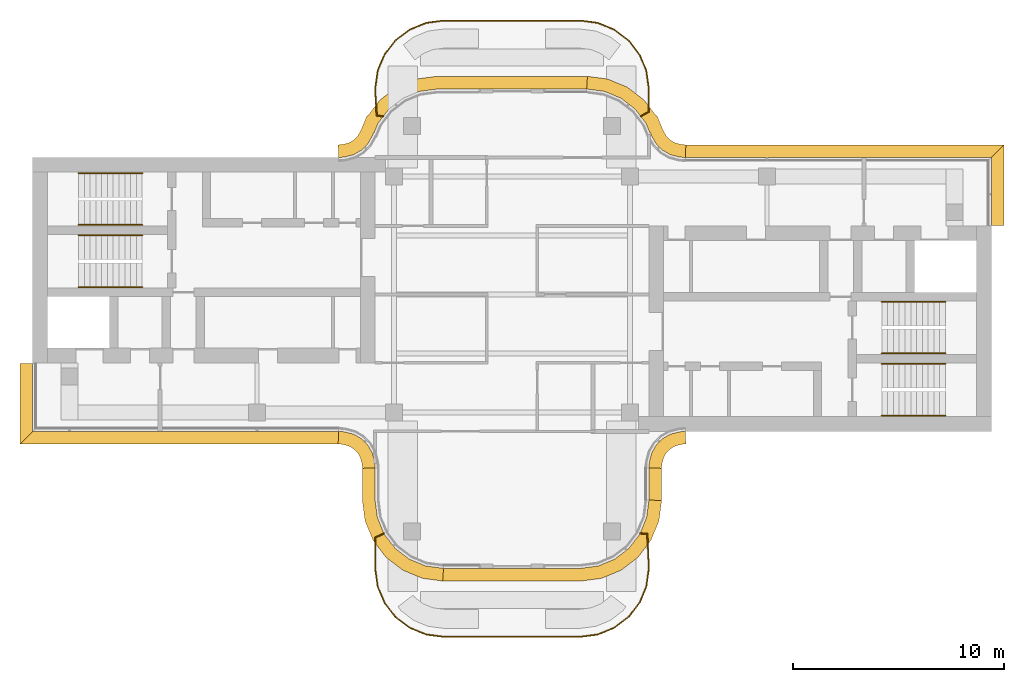
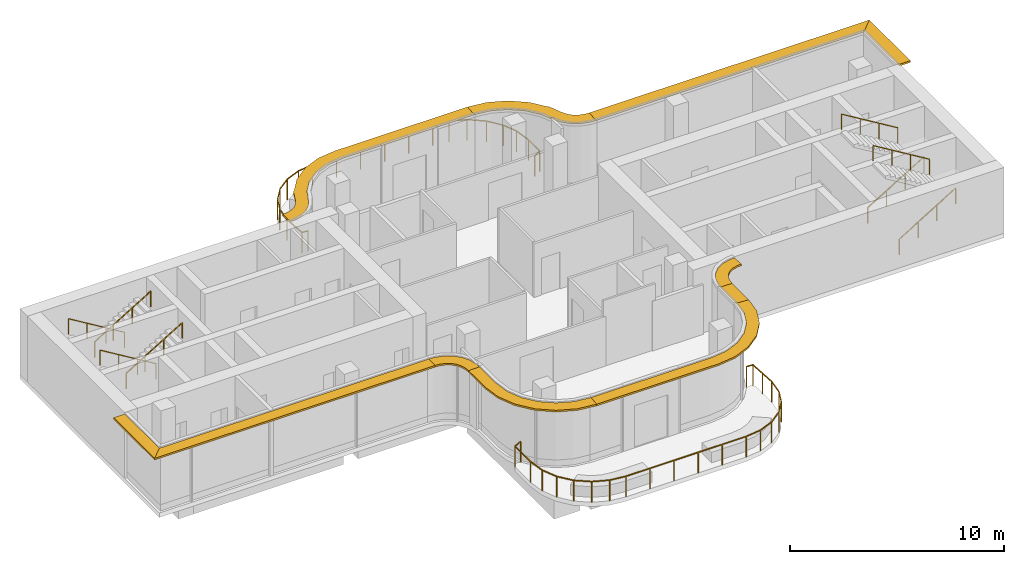
# One storey, part 9 of 9: 11 shading devices, 10 railings.
"""IFC4 building model written with IfcOpenShell, lengths in metres."""

from ifc_helpers import new_model, si_unit, direction, frame, origin, origin_2d, place, context, subcontext, project, spatial, polyline, rectangle, circle, outline, extrude, source, transform, mapped, material, layer, layer_set, type_object, element, save


model = new_model("IFC4")

# Units and contexts
model_context = context("Model", 3, precision=1e-05, world=origin(), true_north=direction((0.0, 1.0)))
body_context = subcontext(model_context, "Body", "Model", "MODEL_VIEW")
ifc_project = project(units=[si_unit("LENGTHUNIT", "METRE"), si_unit("AREAUNIT", "SQUARE_METRE"), si_unit("VOLUMEUNIT", "CUBIC_METRE"), si_unit("PLANEANGLEUNIT", "RADIAN"), si_unit("MASSUNIT", "GRAM", prefix="KILO")], contexts=[model_context])

# Site, building, storey
site_placement = place(None, origin())
site = spatial("IfcSite", under=ifc_project, at=site_placement, CompositionType="ELEMENT")
building_placement = place(site_placement, origin())
building = spatial("IfcBuilding", under=site, at=building_placement, Name="Trellis Farm Tower", CompositionType="ELEMENT")
storey_placement = place(building_placement, frame((0.0, 0.0, 354.10009765625)))
storey = spatial("IfcBuildingStorey", under=building, at=storey_placement, Name="L80", CompositionType="ELEMENT", Elevation=354.10009765625)

# Railings
ifc_material_1 = material(Name="Stainless steel 316", Category="steel")
railing_type_1 = type_object("IfcRailingType", Name="BALUSTRADE GUARD 1200", PredefinedType="GUARDRAIL", material=ifc_material_1)
railing_1_placement = place(storey_placement, frame((-6.10693359375, 8.45068359375, 0.0)))
element("IfcRailing", 1, at=railing_1_placement, inside=storey, type_object=railing_type_1, Name="GD2 TER-1", PredefinedType="GUARDRAIL", context=body_context, shape_type="SweptSolid", body=[
    extrude(rectangle(XDim=0.050048828125, YDim=0.050048828125, at=origin_2d()), frame((0.0, 0.0, 1.1748046875), z_axis=(-0.991964294136, 0.126518137671, 0.0), x_axis=(-0.126518137671, -0.991964294136, 0.0)), (0.0, 0.0, 1.0), 0.314453125),
    extrude(rectangle(XDim=0.050048828125, YDim=0.050048828125, at=origin_2d()), frame((-0.31201171875, 0.039794921875, 1.1748046875), z_axis=(-0.065062168606, 0.997881212478, 0.0), x_axis=(-0.997881212478, -0.065062168606, 0.0)), (0.0, 0.0, 1.0), 1.245849609375),
    extrude(rectangle(XDim=0.050048828125, YDim=0.050048828125, at=origin_2d()), frame((-0.39306640625, 1.282958984375, 1.1748046875), z_axis=(0.137531262137, 0.990497426516, 0.0), x_axis=(-0.990497426516, 0.137531262137, 0.0)), (0.0, 0.0, 1.0), 0.896484375),
    extrude(rectangle(XDim=0.050048828125, YDim=0.050048828125, at=origin_2d()), frame((-0.269775390625, 2.1708984375, 1.1748046875), z_axis=(0.392110431343, 0.919918153768, 0.0), x_axis=(-0.919918153768, 0.392110431343, 0.0)), (0.0, 0.0, 1.0), 0.847412109375),
    extrude(rectangle(XDim=0.050048828125, YDim=0.050048828125, at=origin_2d()), frame((0.0625, 2.950439453125, 1.1748046875), z_axis=(0.616650070044, 0.78723737914, 0.0), x_axis=(-0.78723737914, 0.616650070044, 0.0)), (0.0, 0.0, 1.0), 0.84716796875),
    extrude(rectangle(XDim=0.050048828125, YDim=0.050048828125, at=origin_2d()), frame((0.5849609375, 3.617431640625, 1.1748046875), z_axis=(0.799481118844, 0.600691219023, 0.0), x_axis=(-0.600691219023, 0.799481118844, 0.0)), (0.0, 0.0, 1.0), 0.847412109375),
    extrude(rectangle(XDim=0.050048828125, YDim=0.050048828125, at=origin_2d()), frame((1.262451171875, 4.12646484375, 1.1748046875), z_axis=(0.927639628134, 0.373476532483, 0.0), x_axis=(-0.373476532483, 0.927639628134, 0.0)), (0.0, 0.0, 1.0), 0.84716796875),
    extrude(rectangle(XDim=0.050048828125, YDim=0.050048828125, at=origin_2d()), frame((2.04833984375, 4.44287109375, 1.1748046875), z_axis=(0.991777866634, 0.12797133763, 0.0), x_axis=(-0.12797133763, 0.991777866634, 0.0)), (0.0, 0.0, 1.0), 0.831787109375),
    extrude(rectangle(XDim=0.050048828125, YDim=0.050048828125, at=origin_2d()), frame((2.873291015625, 4.54931640625, 1.1748046875), z_axis=(1.0, 0.0, 0.0), x_axis=(0.0, 1.0, 0.0)), (0.0, 0.0, 1.0), 6.46728515625),
    extrude(rectangle(XDim=0.050048828125, YDim=0.050048828125, at=origin_2d()), frame((9.340576171875, 4.54931640625, 1.1748046875), z_axis=(0.991777866634, -0.12797133763, 0.0), x_axis=(0.12797133763, 0.991777866634, 0.0)), (0.0, 0.0, 1.0), 0.831787109375),
    extrude(rectangle(XDim=0.050048828125, YDim=0.050048828125, at=origin_2d()), frame((10.16552734375, 4.44287109375, 1.1748046875), z_axis=(0.927639628134, -0.373476532483, 0.0), x_axis=(0.373476532483, 0.927639628134, 0.0)), (0.0, 0.0, 1.0), 0.84716796875),
    extrude(rectangle(XDim=0.050048828125, YDim=0.050048828125, at=origin_2d()), frame((10.951416015625, 4.12646484375, 1.1748046875), z_axis=(0.793399515431, -0.608701247669, 0.0), x_axis=(0.608701247669, 0.793399515431, 0.0)), (0.0, 0.0, 1.0), 0.912109375),
    extrude(rectangle(XDim=0.050048828125, YDim=0.050048828125, at=origin_2d()), frame((11.675048828125, 3.5712890625, 1.1748046875), z_axis=(0.600691219023, -0.799481118844, 0.0), x_axis=(0.799481118844, 0.600691219023, 0.0)), (0.0, 0.0, 1.0), 0.847412109375),
    extrude(rectangle(XDim=0.050048828125, YDim=0.050048828125, at=origin_2d()), frame((12.18408203125, 2.893798828125, 1.1748046875), z_axis=(0.38282021408, -0.923822863807, 0.0), x_axis=(0.923822863807, 0.38282021408, 0.0)), (0.0, 0.0, 1.0), 0.782470703125),
    extrude(rectangle(XDim=0.050048828125, YDim=0.050048828125, at=origin_2d()), frame((12.483642578125, 2.1708984375, 1.1748046875), z_axis=(0.137531262137, -0.990497426516, 0.0), x_axis=(0.990497426516, 0.137531262137, 0.0)), (0.0, 0.0, 1.0), 0.896484375),
    extrude(rectangle(XDim=0.050048828125, YDim=0.050048828125, at=origin_2d()), frame((12.60693359375, 1.282958984375, 1.1748046875), z_axis=(0.0, -1.0, 0.0), x_axis=(1.0, 0.0, 0.0)), (0.0, 0.0, 1.0), 1.058837890625),
    extrude(rectangle(XDim=0.050048828125, YDim=0.050048828125, at=origin_2d()), frame((12.60693359375, 0.22412109375, 1.1748046875), z_axis=(-0.868707621281, -0.495325215115, 0.0), x_axis=(0.495325215115, -0.868707621281, 0.0)), (0.0, 0.0, 1.0), 0.452392578125),
    extrude(rectangle(XDim=0.0400390625, YDim=0.0400390625, at=origin_2d()), origin(), (0.0, 0.0, 1.0), 1.14990234375),
    extrude(rectangle(XDim=0.0400390625, YDim=0.0400390625, at=origin_2d()), frame((-0.31201171875, 0.039794921875, 0.0)), (0.0, 0.0, 1.0), 1.14990234375),
    extrude(rectangle(XDim=0.0400390625, YDim=0.0400390625, at=origin_2d()), frame((-0.39306640625, 1.282958984375, 0.0)), (0.0, 0.0, 1.0), 1.14990234375),
    extrude(rectangle(XDim=0.0400390625, YDim=0.0400390625, at=origin_2d()), frame((-0.269775390625, 2.1708984375, 0.0)), (0.0, 0.0, 1.0), 1.14990234375),
    extrude(rectangle(XDim=0.0400390625, YDim=0.0400390625, at=origin_2d()), frame((0.0625, 2.950439453125, 0.0)), (0.0, 0.0, 1.0), 1.14990234375),
    extrude(rectangle(XDim=0.0400390625, YDim=0.0400390625, at=origin_2d()), frame((0.5849609375, 3.617431640625, 0.0)), (0.0, 0.0, 1.0), 1.14990234375),
    extrude(rectangle(XDim=0.0400390625, YDim=0.0400390625, at=origin_2d()), frame((1.262451171875, 4.12646484375, 0.0)), (0.0, 0.0, 1.0), 1.14990234375),
    extrude(rectangle(XDim=0.0400390625, YDim=0.0400390625, at=origin_2d()), frame((2.04833984375, 4.44287109375, 0.0)), (0.0, 0.0, 1.0), 1.14990234375),
    extrude(rectangle(XDim=0.0400390625, YDim=0.0400390625, at=origin_2d()), frame((2.873291015625, 4.54931640625, 0.0)), (0.0, 0.0, 1.0), 1.14990234375),
    extrude(rectangle(XDim=0.0400390625, YDim=0.0400390625, at=origin_2d()), frame((4.166748046875, 4.54931640625, 0.0)), (0.0, 0.0, 1.0), 1.14990234375),
    extrude(rectangle(XDim=0.0400390625, YDim=0.0400390625, at=origin_2d()), frame((5.460205078125, 4.54931640625, 0.0)), (0.0, 0.0, 1.0), 1.14990234375),
    extrude(rectangle(XDim=0.0400390625, YDim=0.0400390625, at=origin_2d()), frame((6.753662109375, 4.54931640625, 0.0)), (0.0, 0.0, 1.0), 1.14990234375),
    extrude(rectangle(XDim=0.0400390625, YDim=0.0400390625, at=origin_2d()), frame((8.047119140625, 4.54931640625, 0.0)), (0.0, 0.0, 1.0), 1.14990234375),
    extrude(rectangle(XDim=0.0400390625, YDim=0.0400390625, at=origin_2d()), frame((9.340576171875, 4.54931640625, 0.0)), (0.0, 0.0, 1.0), 1.14990234375),
    extrude(rectangle(XDim=0.0400390625, YDim=0.0400390625, at=origin_2d()), frame((10.16552734375, 4.44287109375, 0.0)), (0.0, 0.0, 1.0), 1.14990234375),
    extrude(rectangle(XDim=0.0400390625, YDim=0.0400390625, at=origin_2d()), frame((10.951416015625, 4.12646484375, 0.0)), (0.0, 0.0, 1.0), 1.14990234375),
    extrude(rectangle(XDim=0.0400390625, YDim=0.0400390625, at=origin_2d()), frame((11.675048828125, 3.5712890625, 0.0)), (0.0, 0.0, 1.0), 1.14990234375),
    extrude(rectangle(XDim=0.0400390625, YDim=0.0400390625, at=origin_2d()), frame((12.18408203125, 2.893798828125, 0.0)), (0.0, 0.0, 1.0), 1.14990234375),
    extrude(rectangle(XDim=0.0400390625, YDim=0.0400390625, at=origin_2d()), frame((12.483642578125, 2.1708984375, 0.0)), (0.0, 0.0, 1.0), 1.14990234375),
    extrude(rectangle(XDim=0.0400390625, YDim=0.0400390625, at=origin_2d()), frame((12.60693359375, 1.282958984375, 0.0)), (0.0, 0.0, 1.0), 1.14990234375),
    extrude(rectangle(XDim=0.0400390625, YDim=0.0400390625, at=origin_2d()), frame((12.60693359375, 0.22412109375, 0.0)), (0.0, 0.0, 1.0), 1.14990234375),
    extrude(rectangle(XDim=0.0400390625, YDim=0.0400390625, at=origin_2d()), frame((12.2138671875, 0.0, 0.0)), (0.0, 0.0, 1.0), 1.14990234375),
])
railing_2_placement = place(storey_placement, frame((6.078369140625, -11.341552734375, 0.0)))
element("IfcRailing", 2, at=railing_2_placement, inside=storey, type_object=railing_type_1, Name="GD2 TER-2", PredefinedType="GUARDRAIL", context=body_context, shape_type="SweptSolid", body=[
    extrude(rectangle(XDim=0.050048828125, YDim=0.050048828125, at=origin_2d()), frame((0.0, 0.0, 1.1748046875), z_axis=(0.998595991784, -0.052972117127, 0.0), x_axis=(0.052972117127, 0.998595991784, 0.0)), (0.0, 0.0, 1.0), 0.341064453125),
    extrude(rectangle(XDim=0.050048828125, YDim=0.050048828125, at=origin_2d()), frame((0.340576171875, -0.01806640625, 1.1748046875), z_axis=(0.049847755092, -0.998756827918, 0.0), x_axis=(0.998756827918, 0.049847755092, 0.0)), (0.0, 0.0, 1.0), 1.6259765625),
    extrude(rectangle(XDim=0.050048828125, YDim=0.050048828125, at=origin_2d()), frame((0.421630859375, -1.64208984375, 1.1748046875), z_axis=(-0.137531262137, -0.990497426516, 0.0), x_axis=(0.990497426516, -0.137531262137, 0.0)), (0.0, 0.0, 1.0), 0.896484375),
    extrude(rectangle(XDim=0.050048828125, YDim=0.050048828125, at=origin_2d()), frame((0.29833984375, -2.530029296875, 1.1748046875), z_axis=(-0.38282021408, -0.923822863807, 0.0), x_axis=(0.923822863807, -0.38282021408, 0.0)), (0.0, 0.0, 1.0), 0.782470703125),
    extrude(rectangle(XDim=0.050048828125, YDim=0.050048828125, at=origin_2d()), frame((-0.001220703125, -3.2529296875, 1.1748046875), z_axis=(-0.600691219023, -0.799481118844, 0.0), x_axis=(0.799481118844, -0.600691219023, 0.0)), (0.0, 0.0, 1.0), 0.847412109375),
    extrude(rectangle(XDim=0.050048828125, YDim=0.050048828125, at=origin_2d()), frame((-0.51025390625, -3.930419921875, 1.1748046875), z_axis=(-0.793399515431, -0.608701247669, 0.0), x_axis=(0.608701247669, -0.793399515431, 0.0)), (0.0, 0.0, 1.0), 0.912109375),
    extrude(rectangle(XDim=0.050048828125, YDim=0.050048828125, at=origin_2d()), frame((-1.23388671875, -4.485595703125, 1.1748046875), z_axis=(-0.927639628134, -0.373476532483, 0.0), x_axis=(0.373476532483, -0.927639628134, 0.0)), (0.0, 0.0, 1.0), 0.84716796875),
    extrude(rectangle(XDim=0.050048828125, YDim=0.050048828125, at=origin_2d()), frame((-2.019775390625, -4.802001953125, 1.1748046875), z_axis=(-0.991777866634, -0.12797133763, 0.0), x_axis=(0.12797133763, -0.991777866634, 0.0)), (0.0, 0.0, 1.0), 0.831787109375),
    extrude(rectangle(XDim=0.050048828125, YDim=0.050048828125, at=origin_2d()), frame((-2.8447265625, -4.908447265625, 1.1748046875), z_axis=(-1.0, 0.0, 0.0), x_axis=(0.0, -1.0, 0.0)), (0.0, 0.0, 1.0), 6.46728515625),
    extrude(rectangle(XDim=0.050048828125, YDim=0.050048828125, at=origin_2d()), frame((-9.31201171875, -4.908447265625, 1.1748046875), z_axis=(-0.991777866634, 0.12797133763, 0.0), x_axis=(-0.12797133763, -0.991777866634, 0.0)), (0.0, 0.0, 1.0), 0.831787109375),
    extrude(rectangle(XDim=0.050048828125, YDim=0.050048828125, at=origin_2d()), frame((-10.136962890625, -4.802001953125, 1.1748046875), z_axis=(-0.927639628134, 0.373476532483, 0.0), x_axis=(-0.373476532483, -0.927639628134, 0.0)), (0.0, 0.0, 1.0), 0.84716796875),
    extrude(rectangle(XDim=0.050048828125, YDim=0.050048828125, at=origin_2d()), frame((-10.9228515625, -4.485595703125, 1.1748046875), z_axis=(-0.799481118844, 0.600691219023, 0.0), x_axis=(-0.600691219023, -0.799481118844, 0.0)), (0.0, 0.0, 1.0), 0.847412109375),
    extrude(rectangle(XDim=0.050048828125, YDim=0.050048828125, at=origin_2d()), frame((-11.600341796875, -3.9765625, 1.1748046875), z_axis=(-0.616650070044, 0.78723737914, 0.0), x_axis=(-0.78723737914, -0.616650070044, 0.0)), (0.0, 0.0, 1.0), 0.84716796875),
    extrude(rectangle(XDim=0.050048828125, YDim=0.050048828125, at=origin_2d()), frame((-12.122802734375, -3.3095703125, 1.1748046875), z_axis=(-0.392110431343, 0.919918153768, 0.0), x_axis=(-0.919918153768, -0.392110431343, 0.0)), (0.0, 0.0, 1.0), 0.847412109375),
    extrude(rectangle(XDim=0.050048828125, YDim=0.050048828125, at=origin_2d()), frame((-12.455078125, -2.530029296875, 1.1748046875), z_axis=(-0.137531262137, 0.990497426516, 0.0), x_axis=(-0.990497426516, -0.137531262137, 0.0)), (0.0, 0.0, 1.0), 0.896484375),
    extrude(rectangle(XDim=0.050048828125, YDim=0.050048828125, at=origin_2d()), frame((-12.578369140625, -1.64208984375, 1.1748046875), z_axis=(0.0, 1.0, 0.0), x_axis=(-1.0, 0.0, 0.0)), (0.0, 0.0, 1.0), 1.439697265625),
    extrude(rectangle(XDim=0.050048828125, YDim=0.050048828125, at=origin_2d()), frame((-12.578369140625, -0.202392578125, 1.1748046875), z_axis=(0.901514911476, 0.432748037993, 0.0), x_axis=(-0.432748037993, 0.901514911476, 0.0)), (0.0, 0.0, 1.0), 0.4677734375),
    extrude(rectangle(XDim=0.0400390625, YDim=0.0400390625, at=origin_2d()), origin(), (0.0, 0.0, 1.0), 1.14990234375),
    extrude(rectangle(XDim=0.0400390625, YDim=0.0400390625, at=origin_2d()), frame((0.340576171875, -0.01806640625, 0.0)), (0.0, 0.0, 1.0), 1.14990234375),
    extrude(rectangle(XDim=0.0400390625, YDim=0.0400390625, at=origin_2d()), frame((0.381103515625, -0.830078125, 0.0)), (0.0, 0.0, 1.0), 1.14990234375),
    extrude(rectangle(XDim=0.0400390625, YDim=0.0400390625, at=origin_2d()), frame((0.421630859375, -1.64208984375, 0.0)), (0.0, 0.0, 1.0), 1.14990234375),
    extrude(rectangle(XDim=0.0400390625, YDim=0.0400390625, at=origin_2d()), frame((0.29833984375, -2.530029296875, 0.0)), (0.0, 0.0, 1.0), 1.14990234375),
    extrude(rectangle(XDim=0.0400390625, YDim=0.0400390625, at=origin_2d()), frame((-0.001220703125, -3.2529296875, 0.0)), (0.0, 0.0, 1.0), 1.14990234375),
    extrude(rectangle(XDim=0.0400390625, YDim=0.0400390625, at=origin_2d()), frame((-0.51025390625, -3.930419921875, 0.0)), (0.0, 0.0, 1.0), 1.14990234375),
    extrude(rectangle(XDim=0.0400390625, YDim=0.0400390625, at=origin_2d()), frame((-1.23388671875, -4.485595703125, 0.0)), (0.0, 0.0, 1.0), 1.14990234375),
    extrude(rectangle(XDim=0.0400390625, YDim=0.0400390625, at=origin_2d()), frame((-2.019775390625, -4.802001953125, 0.0)), (0.0, 0.0, 1.0), 1.14990234375),
    extrude(rectangle(XDim=0.0400390625, YDim=0.0400390625, at=origin_2d()), frame((-2.8447265625, -4.908447265625, 0.0)), (0.0, 0.0, 1.0), 1.14990234375),
    extrude(rectangle(XDim=0.0400390625, YDim=0.0400390625, at=origin_2d()), frame((-4.13818359375, -4.908447265625, 0.0)), (0.0, 0.0, 1.0), 1.14990234375),
    extrude(rectangle(XDim=0.0400390625, YDim=0.0400390625, at=origin_2d()), frame((-5.431640625, -4.908447265625, 0.0)), (0.0, 0.0, 1.0), 1.14990234375),
    extrude(rectangle(XDim=0.0400390625, YDim=0.0400390625, at=origin_2d()), frame((-6.72509765625, -4.908447265625, 0.0)), (0.0, 0.0, 1.0), 1.14990234375),
    extrude(rectangle(XDim=0.0400390625, YDim=0.0400390625, at=origin_2d()), frame((-8.0185546875, -4.908447265625, 0.0)), (0.0, 0.0, 1.0), 1.14990234375),
    extrude(rectangle(XDim=0.0400390625, YDim=0.0400390625, at=origin_2d()), frame((-9.31201171875, -4.908447265625, 0.0)), (0.0, 0.0, 1.0), 1.14990234375),
    extrude(rectangle(XDim=0.0400390625, YDim=0.0400390625, at=origin_2d()), frame((-10.136962890625, -4.802001953125, 0.0)), (0.0, 0.0, 1.0), 1.14990234375),
    extrude(rectangle(XDim=0.0400390625, YDim=0.0400390625, at=origin_2d()), frame((-10.9228515625, -4.485595703125, 0.0)), (0.0, 0.0, 1.0), 1.14990234375),
    extrude(rectangle(XDim=0.0400390625, YDim=0.0400390625, at=origin_2d()), frame((-11.600341796875, -3.9765625, 0.0)), (0.0, 0.0, 1.0), 1.14990234375),
    extrude(rectangle(XDim=0.0400390625, YDim=0.0400390625, at=origin_2d()), frame((-12.122802734375, -3.3095703125, 0.0)), (0.0, 0.0, 1.0), 1.14990234375),
    extrude(rectangle(XDim=0.0400390625, YDim=0.0400390625, at=origin_2d()), frame((-12.455078125, -2.530029296875, 0.0)), (0.0, 0.0, 1.0), 1.14990234375),
    extrude(rectangle(XDim=0.0400390625, YDim=0.0400390625, at=origin_2d()), frame((-12.578369140625, -1.64208984375, 0.0)), (0.0, 0.0, 1.0), 1.14990234375),
    extrude(rectangle(XDim=0.0400390625, YDim=0.0400390625, at=origin_2d()), frame((-12.578369140625, -0.202392578125, 0.0)), (0.0, 0.0, 1.0), 1.14990234375),
    extrude(rectangle(XDim=0.0400390625, YDim=0.0400390625, at=origin_2d()), frame((-12.15673828125, 0.0, 0.0)), (0.0, 0.0, 1.0), 1.14990234375),
])
ifc_material_2 = material(Name="Stainless steel", Category="steel")
railing_type_2 = type_object("IfcRailingType", Name="STAIR HANDRAIL 900", PredefinedType="HANDRAIL", material=ifc_material_2)
shared_shape_1 = source(origin(), body_context, "Body", "SweptSolid", [
    extrude(circle(Radius=0.02392578125, at=origin_2d()), frame((0.0, 0.0, 0.8759765625), z_axis=(0.855170017971, 0.0, 0.518347605727), x_axis=(0.0, 1.0, 0.0)), (0.0, 0.0, 1.0), 3.537109375),
    extrude(circle(Radius=0.02099609375, at=origin_2d()), origin(), (0.0, 0.0, 1.0), 0.851806640625),
    extrude(circle(Radius=0.02099609375, at=origin_2d()), frame((1.00830078125, 0.0, 0.611083984375)), (0.0, 0.0, 1.0), 0.851806640625),
    extrude(circle(Radius=0.02099609375, at=origin_2d()), frame((2.0166015625, 0.0, 1.222412109375)), (0.0, 0.0, 1.0), 0.851806640625),
    extrude(circle(Radius=0.02099609375, at=origin_2d()), frame((3.02490234375, 0.0, 1.83349609375)), (0.0, 0.0, 1.0), 0.851806640625),
])
for number, where, name in (
    (3, (17.550048828125, -5.75, 0.16650390625), "Stair handrail"),
    (4, (17.550048828125, -2.800048828125, 0.16650390625), "Stair handrail"),
    (5, (-20.574951171875, 3.300048828125, 2.16650390625), "Stair handrail"),
    (6, (-20.574951171875, 0.35009765625, 2.16650390625), "Stair handrail"),
):
    element("IfcRailing", number, at=place(storey_placement, frame(where)), inside=storey, type_object=railing_type_2, Name=name, PredefinedType="HANDRAIL", context=body_context, shape_type="MappedRepresentation", body=[
        mapped(shared_shape_1, transform((0.0, 0.0, 0.0))),
    ])
shared_shape_2 = source(origin(), body_context, "Body", "SweptSolid", [
    extrude(circle(Radius=0.02392578125, at=origin_2d()), frame((0.0, 0.0, 0.8759765625), z_axis=(-0.855170017971, 0.0, 0.518347605727), x_axis=(0.0, -1.0, 0.0)), (0.0, 0.0, 1.0), 3.537109375),
    extrude(circle(Radius=0.02099609375, at=origin_2d()), origin(), (0.0, 0.0, 1.0), 0.851806640625),
    extrude(circle(Radius=0.02099609375, at=origin_2d()), frame((-1.00830078125, 0.0, 0.611083984375)), (0.0, 0.0, 1.0), 0.851806640625),
    extrude(circle(Radius=0.02099609375, at=origin_2d()), frame((-2.0166015625, 0.0, 1.222412109375)), (0.0, 0.0, 1.0), 0.851806640625),
    extrude(circle(Radius=0.02099609375, at=origin_2d()), frame((-3.02490234375, 0.0, 1.83349609375)), (0.0, 0.0, 1.0), 0.851806640625),
])
for number, where, name in (
    (7, (20.574951171875, -3.300048828125, 2.16650390625), "Stair handrail"),
    (8, (20.574951171875, -0.35009765625, 2.16650390625), "Stair handrail"),
    (9, (-17.550048828125, 5.75, 0.16650390625), "Stair handrail"),
    (10, (-17.550048828125, 2.800048828125, 0.16650390625), "Stair handrail"),
):
    element("IfcRailing", number, at=place(storey_placement, frame(where)), inside=storey, type_object=railing_type_2, Name=name, PredefinedType="HANDRAIL", context=body_context, shape_type="MappedRepresentation", body=[
        mapped(shared_shape_2, transform((0.0, 0.0, 0.0))),
    ])

# Shading devices
ifc_material_3 = material(Name="Aluminium extrusion 6063-T6", Category="aluminium")
ifc_layer = layer(ifc_material_3, 0.10009765625)
ifc_layer_set = layer_set([ifc_layer], Name="SUNSHADE BLADE 600")
shading_device_type = type_object("IfcShadingDeviceType", Name="SUNSHADE BLADE 600", PredefinedType="USERDEFINED", material=ifc_layer_set)
shared_shape_3 = source(origin(), body_context, "Body", "SweptSolid", [
    extrude(outline(polyline([(7.10009765625, -8.2509765625), (7.111328125, -8.078369140625), (7.1171875, -8.032958984375), (7.19580078125, -7.739990234375), (7.3271484375, -7.5126953125), (7.5126953125, -7.3271484375), (7.739990234375, -7.19580078125), (8.032958984375, -7.1171875), (8.078369140625, -7.111328125), (8.2509765625, -7.10009765625), (8.2314453125, -6.5), (8.01953125, -6.513916015625), (7.91552734375, -6.527587890625), (7.508544921875, -6.63671875), (7.144287109375, -6.846923828125), (6.846923828125, -7.144287109375), (6.63671875, -7.508544921875), (6.527587890625, -7.91552734375), (6.513916015625, -8.01953125), (6.5, -8.2314453125), (7.10009765625, -8.2509765625)])), origin(), (0.0, 0.0, 1.0), 0.10009765625),
])
placement = place(storey_placement, frame((0.0, 0.0, 3.58984375)))
element("IfcShadingDevice", 11, at=placement, inside=storey, type_object=shading_device_type, Name="SD3 004", ObjectType="SUNSHADE", PredefinedType="USERDEFINED", context=body_context, shape_type="MappedRepresentation", body=[
    mapped(shared_shape_3, transform((0.0, 0.0, 0.0))),
])
shared_shape_4 = source(origin(), body_context, "Body", "SweptSolid", [
    extrude(outline(polyline([(23.35009765625, 3.280029296875), (23.35009765625, 7.10009765625), (22.75, 6.5), (22.75, 3.280029296875), (23.35009765625, 3.280029296875)])), origin(), (0.0, 0.0, 1.0), 0.10009765625),
])
element("IfcShadingDevice", 12, at=placement, inside=storey, type_object=shading_device_type, Name="SD3 005", ObjectType="SUNSHADE", PredefinedType="USERDEFINED", context=body_context, shape_type="MappedRepresentation", body=[
    mapped(shared_shape_4, transform((0.0, 0.0, 0.0))),
])
shared_shape_5 = source(origin(), body_context, "Body", "SweptSolid", [
    extrude(outline(polyline([(23.35009765625, 7.10009765625), (8.2509765625, 7.10009765625), (8.2314453125, 6.5), (22.75, 6.5), (23.35009765625, 7.10009765625)])), origin(), (0.0, 0.0, 1.0), 0.10009765625),
])
element("IfcShadingDevice", 13, at=placement, inside=storey, type_object=shading_device_type, Name="SD3 006", ObjectType="SUNSHADE", PredefinedType="USERDEFINED", context=body_context, shape_type="MappedRepresentation", body=[
    mapped(shared_shape_5, transform((0.0, 0.0, 0.0))),
])
shared_shape_6 = source(origin(), body_context, "Body", "SweptSolid", [
    extrude(outline(polyline([(-23.35009765625, -3.280029296875), (-23.35009765625, -7.10009765625), (-22.75, -6.5), (-22.75, -3.280029296875), (-23.35009765625, -3.280029296875)])), origin(), (0.0, 0.0, 1.0), 0.10009765625),
])
element("IfcShadingDevice", 14, at=placement, inside=storey, type_object=shading_device_type, Name="SD3 009", ObjectType="SUNSHADE", PredefinedType="USERDEFINED", context=body_context, shape_type="MappedRepresentation", body=[
    mapped(shared_shape_6, transform((0.0, 0.0, 0.0))),
])
shared_shape_7 = source(origin(), body_context, "Body", "SweptSolid", [
    extrude(outline(polyline([(-23.35009765625, -7.10009765625), (-8.2509765625, -7.10009765625), (-8.2314453125, -6.5), (-22.75, -6.5), (-23.35009765625, -7.10009765625)])), origin(), (0.0, 0.0, 1.0), 0.10009765625),
])
element("IfcShadingDevice", 15, at=placement, inside=storey, type_object=shading_device_type, Name="SD3 010", ObjectType="SUNSHADE", PredefinedType="USERDEFINED", context=body_context, shape_type="MappedRepresentation", body=[
    mapped(shared_shape_7, transform((0.0, 0.0, 0.0))),
])
shared_shape_8 = source(origin(), body_context, "Body", "SweptSolid", [
    extrude(outline(polyline([(-8.2509765625, -7.10009765625), (-8.078369140625, -7.111328125), (-8.032958984375, -7.1171875), (-7.739990234375, -7.19580078125), (-7.5126953125, -7.3271484375), (-7.3271484375, -7.5126953125), (-7.19580078125, -7.739990234375), (-7.1171875, -8.032958984375), (-7.111328125, -8.078369140625), (-7.10009765625, -8.2509765625), (-6.5, -8.2314453125), (-6.513916015625, -8.01953125), (-6.527587890625, -7.91552734375), (-6.63671875, -7.508544921875), (-6.846923828125, -7.144287109375), (-7.144287109375, -6.846923828125), (-7.508544921875, -6.63671875), (-7.91552734375, -6.527587890625), (-8.01953125, -6.513916015625), (-8.2314453125, -6.5), (-8.2509765625, -7.10009765625)])), origin(), (0.0, 0.0, 1.0), 0.10009765625),
])
element("IfcShadingDevice", 16, at=placement, inside=storey, type_object=shading_device_type, Name="SD3 011", ObjectType="SUNSHADE", PredefinedType="USERDEFINED", context=body_context, shape_type="MappedRepresentation", body=[
    mapped(shared_shape_8, transform((0.0, 0.0, 0.0))),
])
shared_shape_9 = source(origin(), body_context, "Body", "SweptSolid", [
    extrude(outline(polyline([(-7.10009765625, -8.2509765625), (-7.10009765625, -9.789306640625), (-6.973876953125, -10.747802734375), (-6.588623046875, -11.677490234375), (-5.97607421875, -12.47607421875), (-5.177490234375, -13.088623046875), (-4.247802734375, -13.473876953125), (-3.289306640625, -13.60009765625), (-3.25, -13.0), (-4.091064453125, -12.88916015625), (-4.875, -12.564697265625), (-5.548095703125, -12.048095703125), (-6.064697265625, -11.375), (-6.38916015625, -10.591064453125), (-6.5, -9.75), (-6.5, -8.2314453125), (-7.10009765625, -8.2509765625)])), origin(), (0.0, 0.0, 1.0), 0.10009765625),
])
element("IfcShadingDevice", 17, at=placement, inside=storey, type_object=shading_device_type, Name="SD3 001", ObjectType="SUNSHADE", PredefinedType="USERDEFINED", context=body_context, shape_type="MappedRepresentation", body=[
    mapped(shared_shape_9, transform((0.0, 0.0, 0.0))),
])
shared_shape_10 = source(origin(), body_context, "Body", "SweptSolid", [
    extrude(outline(polyline([(-3.289306640625, -13.60009765625), (3.289306640625, -13.60009765625), (4.247802734375, -13.473876953125), (5.177490234375, -13.088623046875), (5.97607421875, -12.47607421875), (6.588623046875, -11.677490234375), (6.973876953125, -10.747802734375), (7.10009765625, -9.789306640625), (6.5, -9.75), (6.38916015625, -10.591064453125), (6.064697265625, -11.375), (5.548095703125, -12.048095703125), (4.875, -12.564697265625), (4.091064453125, -12.88916015625), (3.25, -13.0), (-3.25, -13.0), (-3.289306640625, -13.60009765625)])), origin(), (0.0, 0.0, 1.0), 0.10009765625),
])
element("IfcShadingDevice", 18, at=placement, inside=storey, type_object=shading_device_type, Name="SD3 002", ObjectType="SUNSHADE", PredefinedType="USERDEFINED", context=body_context, shape_type="MappedRepresentation", body=[
    mapped(shared_shape_10, transform((0.0, 0.0, 0.0))),
])
shared_shape_11 = source(origin(), body_context, "Body", "SweptSolid", [
    extrude(outline(polyline([(7.10009765625, -9.789306640625), (7.10009765625, -8.2509765625), (6.5, -8.2314453125), (6.5, -9.75), (7.10009765625, -9.789306640625)])), origin(), (0.0, 0.0, 1.0), 0.10009765625),
])
element("IfcShadingDevice", 19, at=placement, inside=storey, type_object=shading_device_type, Name="SD3 003", ObjectType="SUNSHADE", PredefinedType="USERDEFINED", context=body_context, shape_type="MappedRepresentation", body=[
    mapped(shared_shape_11, transform((0.0, 0.0, 0.0))),
])
shared_shape_12 = source(origin(), body_context, "Body", "SweptSolid", [
    extrude(outline(polyline([(8.2509765625, 7.10009765625), (8.078369140625, 7.111328125), (8.032958984375, 7.1171875), (7.739990234375, 7.19580078125), (7.5126953125, 7.3271484375), (7.3271484375, 7.5126953125), (7.175537109375, 7.775146484375), (6.880126953125, 8.48828125), (6.859375, 8.479736328125), (6.880859375, 8.427490234375), (6.268310546875, 9.22607421875), (5.4697265625, 9.838623046875), (4.5400390625, 10.223876953125), (3.58154296875, 10.35009765625), (3.542236328125, 9.75), (4.38330078125, 9.63916015625), (5.167236328125, 9.314697265625), (5.84033203125, 8.798095703125), (6.356689453125, 8.125), (6.53466796875, 7.69580078125), (6.555419921875, 7.704345703125), (6.63623046875, 7.50927734375), (6.846923828125, 7.144287109375), (7.144287109375, 6.846923828125), (7.508544921875, 6.63671875), (7.91552734375, 6.527587890625), (8.01953125, 6.513916015625), (8.2314453125, 6.5), (8.2509765625, 7.10009765625)])), origin(), (0.0, 0.0, 1.0), 0.10009765625),
])
element("IfcShadingDevice", 20, at=placement, inside=storey, type_object=shading_device_type, Name="SD3 007", ObjectType="SUNSHADE", PredefinedType="USERDEFINED", context=body_context, shape_type="MappedRepresentation", body=[
    mapped(shared_shape_12, transform((0.0, 0.0, 0.0))),
])
shared_shape_13 = source(origin(), body_context, "Body", "SweptSolid", [
    extrude(outline(polyline([(3.58154296875, 10.35009765625), (-3.58154296875, 10.35009765625), (-4.5400390625, 10.223876953125), (-5.4697265625, 9.838623046875), (-6.268310546875, 9.22607421875), (-6.880859375, 8.427490234375), (-6.859375, 8.479736328125), (-6.880126953125, 8.48828125), (-7.175537109375, 7.775146484375), (-7.3271484375, 7.5126953125), (-7.5126953125, 7.3271484375), (-7.739990234375, 7.19580078125), (-8.032958984375, 7.1171875), (-8.078369140625, 7.111328125), (-8.2509765625, 7.10009765625), (-8.2314453125, 6.5), (-8.01953125, 6.513916015625), (-7.91552734375, 6.527587890625), (-7.508544921875, 6.63671875), (-7.144287109375, 6.846923828125), (-6.846923828125, 7.144287109375), (-6.63623046875, 7.50927734375), (-6.555419921875, 7.704345703125), (-6.53466796875, 7.69580078125), (-6.356689453125, 8.125), (-5.84033203125, 8.798095703125), (-5.167236328125, 9.314697265625), (-4.38330078125, 9.63916015625), (-3.542236328125, 9.75), (3.542236328125, 9.75), (3.58154296875, 10.35009765625)])), origin(), (0.0, 0.0, 1.0), 0.10009765625),
])
element("IfcShadingDevice", 21, at=placement, inside=storey, type_object=shading_device_type, Name="SD3 008", ObjectType="SUNSHADE", PredefinedType="USERDEFINED", context=body_context, shape_type="MappedRepresentation", body=[
    mapped(shared_shape_13, transform((0.0, 0.0, 0.0))),
])

save(model, "model.ifc")
